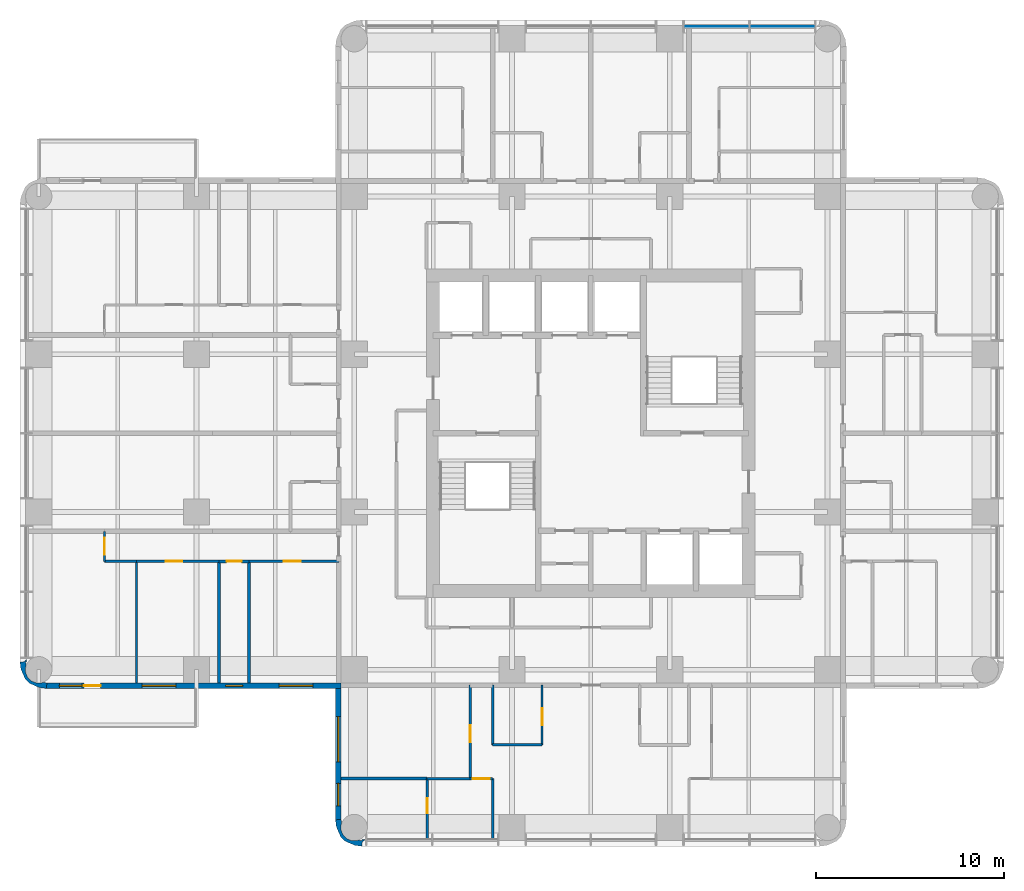
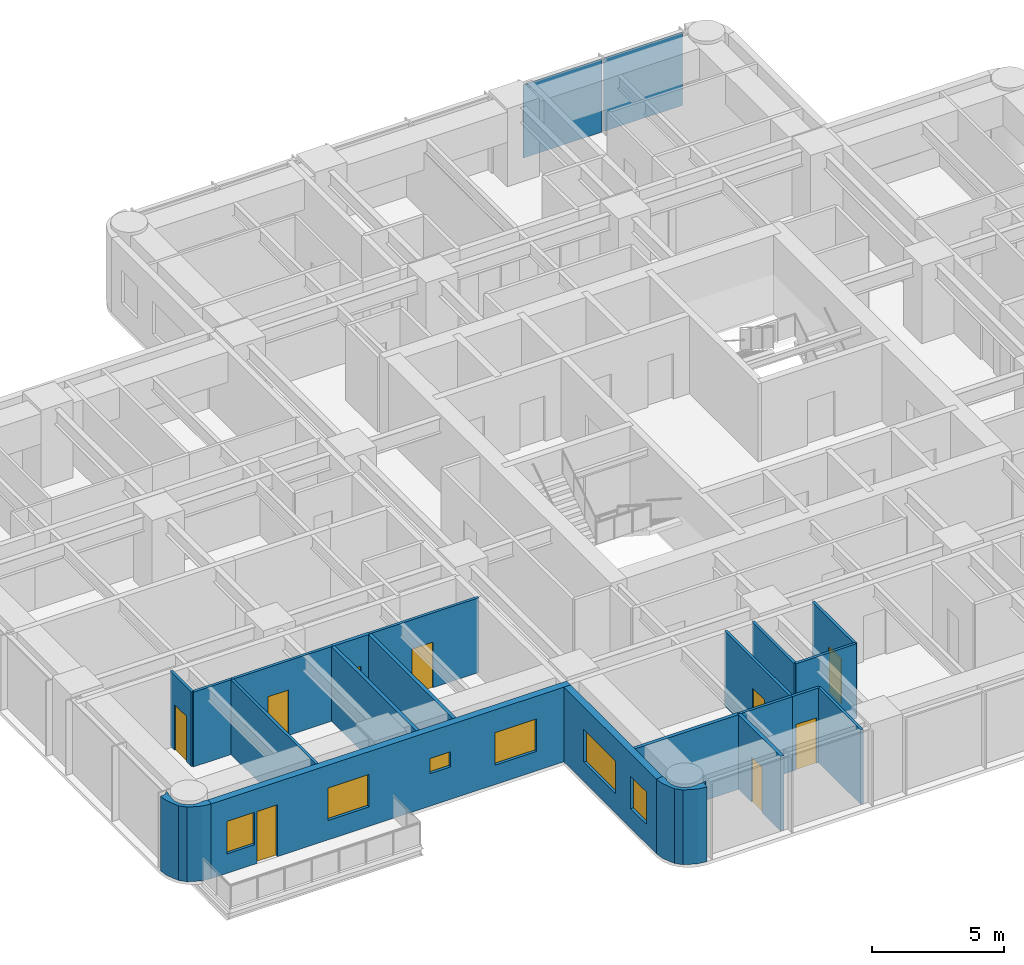
# One storey, part 4 of 11: 21 walls, 9 doors, 6 windows, 2 plates, 15 openings, 1 element without a shape of its own.
"""IFC4 building model written with IfcOpenShell, lengths in metres."""

import ifcopenshell
import ifcopenshell.guid

model = None  # the IFC model being written
_history = None  # IfcOwnerHistory: only IFC2X3 demands one
_inside = {}  # id of a spatial element -> (the spatial element, [elements in it])
_under = {}  # id of a project, library or spatial element -> (it, [spatial elements below it])
_declared = {}  # id of a project -> (the project, [libraries it declares])
_typed = {}  # id of a type object -> (the type object, [elements of that type])
_made_of = {}  # id of a material, layer set ... -> (it, [elements and type objects made of it])


def new_model(schema):
    """Start an empty IFC model of exactly this schema.

    Asked for "IFC4X3", IfcOpenShell would pick the latest addendum, in which some entities
    have other attributes; the version numbers below select the first issue.
    IFC2X3 requires an IfcOwnerHistory on every rooted entity: one is made here for all.
    """
    global model, _history
    if schema == "IFC4X3":
        model = ifcopenshell.file(schema_version=(4, 3, 0, 0))
    else:
        model = ifcopenshell.file(schema=schema)
    _inside.clear()
    _under.clear()
    _declared.clear()
    _typed.clear()
    _made_of.clear()
    _history = None
    if model.schema == "IFC2X3":
        org = make("IfcOrganization", Name="unknown")
        user = make(
            "IfcPersonAndOrganization",
            ThePerson=make("IfcPerson", FamilyName="unknown"),
            TheOrganization=org,
        )
        app = make(
            "IfcApplication",
            ApplicationDeveloper=org,
            Version="unknown",
            ApplicationFullName="unknown",
            ApplicationIdentifier="unknown",
        )
        _history = make(
            "IfcOwnerHistory",
            OwningUser=user,
            OwningApplication=app,
            ChangeAction="ADDED",
            CreationDate=0,
        )
    return model


def make(cls, **values):
    """One entity of the class cls with the attributes given. An attribute that is None is left unset."""
    return model.create_entity(
        cls, **{name: value for name, value in values.items() if value is not None}
    )


def rooted(cls, **values):
    """An entity with a GlobalId (a new one), such as an element, a storey or a relation."""
    return make(cls, GlobalId=ifcopenshell.guid.new(), OwnerHistory=_history, **values)


def si_unit(unit_type, name, prefix=None):
    """IfcSIUnit, for example si_unit("LENGTHUNIT", "METRE", prefix="MILLI")."""
    return make("IfcSIUnit", UnitType=unit_type, Prefix=prefix, Name=name)


def assignment(units):
    """IfcUnitAssignment: the units of a project."""
    return None if units is None else make("IfcUnitAssignment", Units=units)


def point(xyz):
    """IfcCartesianPoint."""
    return None if xyz is None else make("IfcCartesianPoint", Coordinates=xyz)


def direction(xyz):
    """IfcDirection."""
    return None if xyz is None else make("IfcDirection", DirectionRatios=xyz)


def frame(location, z_axis=None, x_axis=None):
    """IfcAxis2Placement3D, a coordinate frame: its origin and axes. An axis left out is left unset."""
    return make(
        "IfcAxis2Placement3D",
        Location=point(location),
        Axis=direction(z_axis),
        RefDirection=direction(x_axis),
    )


def frame_2d(location, x_axis=None):
    """IfcAxis2Placement2D, a coordinate frame in the plane: its origin and x axis."""
    return make(
        "IfcAxis2Placement2D", Location=point(location), RefDirection=direction(x_axis)
    )


def origin():
    """The frame at (0, 0, 0) with its axes left unset."""
    return frame((0.0, 0.0, 0.0))


def origin_2d():
    """The frame at (0, 0) in the plane with its x axis left unset."""
    return frame_2d((0.0, 0.0))


def place(relative_to, where):
    """IfcLocalPlacement: puts the frame where relative to a parent placement (None: the world)."""
    return make(
        "IfcLocalPlacement", PlacementRelTo=relative_to, RelativePlacement=where
    )


def context(
    kind, dimensions, precision=None, world=None, true_north=None, identifier=None
):
    """IfcGeometricRepresentationContext, for example the 3D "Model" context."""
    return make(
        "IfcGeometricRepresentationContext",
        ContextIdentifier=identifier,
        ContextType=kind,
        CoordinateSpaceDimension=dimensions,
        Precision=precision,
        WorldCoordinateSystem=world,
        TrueNorth=true_north,
    )


def subcontext(parent, identifier, kind, view, scale=None):
    """IfcGeometricRepresentationSubContext, for example "Body" below "Model"."""
    return make(
        "IfcGeometricRepresentationSubContext",
        ContextIdentifier=identifier,
        ContextType=kind,
        ParentContext=parent,
        TargetScale=scale,
        TargetView=view,
    )


def project(units=None, contexts=None):
    """IfcProject with its units and contexts."""
    return rooted(
        "IfcProject",
        Name="project",
        RepresentationContexts=contexts,
        UnitsInContext=assignment(units),
    )


def spatial(cls, under=None, at=None, **own):
    """A site, building, storey or space (cls), placed at a placement, below another one or the project."""
    s = rooted(cls, ObjectPlacement=at, **own)
    if under is not None:
        _under.setdefault(under.id(), (under, []))[1].append(s)
    return s


def polyline(points):
    """IfcPolyline through the points."""
    return make("IfcPolyline", Points=[point(p) for p in points])


def profile(cls, at=None, kind="AREA", **sizes):
    """A parametric profile (cls). Its sizes go by their IFC names, for example OverallWidth=200.0."""
    return make(cls, ProfileType=kind, Position=at, **sizes)


def rectangle(**sizes):
    """IfcRectangleProfileDef."""
    return profile("IfcRectangleProfileDef", **sizes)


def outline(outer, holes=None, kind="AREA"):
    """IfcArbitraryClosedProfileDef: a profile drawn as a closed curve; with holes, ...WithVoids."""
    if holes is None:
        return make("IfcArbitraryClosedProfileDef", ProfileType=kind, OuterCurve=outer)
    return make(
        "IfcArbitraryProfileDefWithVoids",
        ProfileType=kind,
        OuterCurve=outer,
        InnerCurves=holes,
    )


def extrude(swept, where, along, depth):
    """IfcExtrudedAreaSolid: the profile swept, set in the frame where, extruded along a direction by depth."""
    return make(
        "IfcExtrudedAreaSolid",
        SweptArea=swept,
        Position=where,
        ExtrudedDirection=direction(along),
        Depth=depth,
    )


def shape(context_of_items, identifier, shape_type, items):
    """IfcShapeRepresentation: the items that make up one representation, for example the "Body"."""
    return make(
        "IfcShapeRepresentation",
        ContextOfItems=context_of_items,
        RepresentationIdentifier=identifier,
        RepresentationType=shape_type,
        Items=items,
    )


def material(Name=None, Category=None):
    """IfcMaterial."""
    return make("IfcMaterial", Name=Name, Category=Category)


def layer(
    of_material, thickness, ventilated=None, Name=None, Category=None, Priority=None
):
    """IfcMaterialLayer: one layer of a wall or slab, of a material (None: an air gap)."""
    return make(
        "IfcMaterialLayer",
        Material=of_material,
        LayerThickness=thickness,
        IsVentilated=ventilated,
        Name=Name,
        Category=Category,
        Priority=Priority,
    )


def layer_set(layers, Name=None):
    """IfcMaterialLayerSet."""
    return make("IfcMaterialLayerSet", MaterialLayers=layers, LayerSetName=Name)


def made_of(thing, what):
    """Note that an element or type object is made of a material, layer set ...; save() writes the relation."""
    if what is not None:
        _made_of.setdefault(what.id(), (what, []))[1].append(thing)
    return thing


def type_object(cls, material=None, **own):
    """A type object (cls), such as IfcWallType, which elements share."""
    return made_of(rooted(cls, **own), material)


def element(
    cls,
    number,
    at=None,
    inside=None,
    cuts=None,
    type_object=None,
    material=None,
    context=None,
    identifier="Body",
    shape_type=None,
    held_by="IfcProductDefinitionShape",
    body=None,
    shapes=None,
    **own,
):
    """One element of the class cls, such as IfcWall. Its Tag is "e" and its number.

    at: its placement. inside: the storey or other place that contains it. cuts: it is an
    opening in that element (IfcRelVoidsElement). A single representation is given by context,
    identifier, shape_type and body (its items); several are given by shapes. held_by: the class
    of the entity that holds the representations. save() writes the other relations.
    """
    e = rooted(cls, Tag="e%d" % number, ObjectPlacement=at, **own)
    if body is not None:
        shapes = [shape(context, identifier, shape_type, body)]
    if shapes is not None:
        e.Representation = make(held_by, Representations=shapes)
    if inside is not None:
        _inside.setdefault(inside.id(), (inside, []))[1].append(e)
    if cuts is not None:
        rooted(
            "IfcRelVoidsElement", RelatingBuildingElement=cuts, RelatedOpeningElement=e
        )
    if type_object is not None:
        _typed.setdefault(type_object.id(), (type_object, []))[1].append(e)
    return made_of(e, material)


def fill(opening, filler):
    """IfcRelFillsElement: the door or window that sits in an opening."""
    return rooted(
        "IfcRelFillsElement",
        RelatingOpeningElement=opening,
        RelatedBuildingElement=filler,
    )


def aggregate(whole, parts):
    """IfcRelAggregates: a whole, such as a stair, and the parts it consists of."""
    return rooted("IfcRelAggregates", RelatingObject=whole, RelatedObjects=parts)


def save(model, path):
    """Write the relations noted so far, then the file.

    IfcRelAggregates (storeys below a building ...), IfcRelContainedInSpatialStructure (elements
    in a storey), IfcRelDefinesByType, IfcRelAssociatesMaterial and IfcRelDeclares: one each for
    every whole, place, type object, material and project.
    """
    for whole, parts in _under.values():
        aggregate(whole, parts)
    for where, things in _inside.values():
        rooted(
            "IfcRelContainedInSpatialStructure",
            RelatedElements=things,
            RelatingStructure=where,
        )
    for kind, things in _typed.values():
        rooted("IfcRelDefinesByType", RelatedObjects=things, RelatingType=kind)
    for what, things in _made_of.values():
        rooted("IfcRelAssociatesMaterial", RelatedObjects=things, RelatingMaterial=what)
    for by, libraries in _declared.values():
        rooted("IfcRelDeclares", RelatingContext=by, RelatedDefinitions=libraries)
    model.write(path)


model = new_model("IFC4")

# Units and contexts
model_context = context("Model", 3, precision=1e-05, world=origin(), true_north=direction((0.0, 1.0)))
body_context = subcontext(model_context, "Body", "Model", "MODEL_VIEW")
ifc_project = project(units=[si_unit("LENGTHUNIT", "METRE"), si_unit("AREAUNIT", "SQUARE_METRE"), si_unit("VOLUMEUNIT", "CUBIC_METRE"), si_unit("PLANEANGLEUNIT", "RADIAN"), si_unit("MASSUNIT", "GRAM", prefix="KILO")], contexts=[model_context])

# Site, building, storey
site_placement = place(None, origin())
site = spatial("IfcSite", under=ifc_project, at=site_placement, CompositionType="ELEMENT")
building_placement = place(site_placement, origin())
building = spatial("IfcBuilding", under=site, at=building_placement, Name="Torre Alcanfor", CompositionType="ELEMENT")
storey_placement = place(building_placement, frame((0.0, 0.0, 222.89990234375)))
storey = spatial("IfcBuildingStorey", under=building, at=storey_placement, Name="L58", CompositionType="ELEMENT", Elevation=222.89990234375)

# Curtain wall, plates
ifc_material_1 = material(Name="Aluminium and glass", Category="aluminium")
curtain_wall_type = type_object("IfcCurtainWallType", Name="CW-A unitised apartment glazing with vertical FIN", PredefinedType="NOTDEFINED", material=ifc_material_1)
curtain_wall_placement = place(storey_placement, origin())
curtain_wall = element("IfcCurtainWall", 1, at=curtain_wall_placement, inside=storey, type_object=curtain_wall_type, Name="Curtain wall CW-A L58 11", PredefinedType="NOTDEFINED")
ifc_material_2 = material(Name="Glass", Category="glass")
ifc_layer_1 = layer(ifc_material_2, 0.028076171875)
ifc_layer_set_1 = layer_set([ifc_layer_1], Name="CW-A clear double glazed unit")
plate_type = type_object("IfcPlateType", Name="CW-A clear double glazed unit", PredefinedType="CURTAIN_PANEL", material=ifc_layer_set_1)
plate_1_placement = place(storey_placement, frame((39.60107421875, 51.050048828125, 0.0), z_axis=(0.0, 0.0, 1.0), x_axis=(-1.0, 0.0, 0.0)))
plate_1 = element("IfcPlate", 2, at=plate_1_placement, type_object=plate_type, Name="CW-A panel 1.1.1", PredefinedType="CURTAIN_PANEL", context=body_context, shape_type="SweptSolid", body=[
    extrude(rectangle(XDim=3.444091796875, YDim=0.028076171875, at=origin_2d()), origin(), (0.0, 0.0, 1.0), 3.385009765625),
])
plate_2_placement = place(storey_placement, frame((36.092041015625, 51.050048828125, 0.0), z_axis=(0.0, 0.0, 1.0), x_axis=(-1.0, 0.0, 0.0)))
plate_2 = element("IfcPlate", 3, at=plate_2_placement, type_object=plate_type, Name="CW-A panel 1.2.1", PredefinedType="CURTAIN_PANEL", context=body_context, shape_type="SweptSolid", body=[
    extrude(rectangle(XDim=3.444091796875, YDim=0.028076171875, at=origin_2d()), origin(), (0.0, 0.0, 1.0), 3.385009765625),
])
aggregate(curtain_wall, [plate_1, plate_2])

# Wall, opening, door
ifc_material_3 = material(Name="Gypsum board on steel studs", Category="steel")
ifc_layer_2 = layer(ifc_material_3, 0.1201171875)
ifc_layer_set_2 = layer_set([ifc_layer_2], Name="Apartment partition 120")
wall_type_1 = type_object("IfcWallType", Name="Apartment partition 120", PredefinedType="PARTITIONING", material=ifc_layer_set_2)
wall_1_placement = place(storey_placement, frame((26.800048828125, 15.97509765625, 0.0), z_axis=(0.0, 0.0, 1.0), x_axis=(0.0, -1.0, 0.0)))
wall_1 = element("IfcWall", 4, at=wall_1_placement, inside=storey, type_object=wall_type_1, Name="Partition L58-SX-ZAG / L58-SX-KITCHEN", PredefinedType="PARTITIONING", context=body_context, shape_type="SweptSolid", body=[
    extrude(rectangle(XDim=3.175048828125, YDim=0.1201171875, at=frame_2d((1.58740234375, 0.0))), origin(), (0.0, 0.0, 1.0), 3.4501953125),
])
opening_1_placement = place(wall_1_placement, frame((1.22509765625, 0.0, 0.0)))
opening_1 = element("IfcOpeningElement", 5, at=opening_1_placement, cuts=wall_1, Name="Opening D-R1", PredefinedType="OPENING", context=body_context, shape_type="SweptSolid", body=[
    extrude(rectangle(XDim=0.89990234375, YDim=2.10009765625, at=frame_2d((0.449951171875, 1.050048828125))), frame((0.0, 0.070068359375, 0.0), z_axis=(0.0, -1.0, 0.0), x_axis=(1.0, 0.0, 0.0)), (0.0, 0.0, 1.0), 0.14013671875),
])
ifc_material_4 = material(Name="Timber", Category="wood")
door_type_1 = type_object("IfcDoorType", Name="Internal door 900x2100", OperationType="SINGLE_SWING_LEFT", PredefinedType="DOOR", material=ifc_material_4)
door_1_placement = place(opening_1_placement, frame((0.89990234375, 0.0, 0.0), z_axis=(0.0, 0.0, 1.0), x_axis=(-1.0, 0.0, 0.0)))
door_1 = element("IfcDoor", 6, at=door_1_placement, inside=storey, type_object=door_type_1, Name="Door L58-SX kitchen", OperationType="SINGLE_SWING_LEFT", OverallHeight=2.10009765625, OverallWidth=0.89990234375, PredefinedType="DOOR", context=body_context, shape_type="SweptSolid", body=[
    extrude(rectangle(XDim=0.89990234375, YDim=2.10009765625, at=frame_2d((0.449951171875, 1.050048828125))), frame((0.0, 0.025146484375, 0.0), z_axis=(0.0, -1.0, 0.0), x_axis=(1.0, 0.0, 0.0)), (0.0, 0.0, 1.0), 0.050048828125),
])
fill(opening_1, door_1)

# Walls
wall_2_placement = place(storey_placement, frame((24.1708984375, 15.97509765625, 0.0), z_axis=(0.0, 0.0, 1.0), x_axis=(0.0, -1.0, 0.0)))
element("IfcWall", 7, at=wall_2_placement, inside=storey, type_object=wall_type_1, Name="Partition L58-SX-KITCHEN / L58-SX-LIVING", PredefinedType="PARTITIONING", context=body_context, shape_type="SweptSolid", body=[
    extrude(rectangle(XDim=3.175048828125, YDim=0.1201171875, at=frame_2d((1.58740234375, 0.0))), origin(), (0.0, 0.0, 1.0), 3.4501953125),
])
wall_3_placement = place(storey_placement, frame((24.1708984375, 12.800048828125, 0.0), z_axis=(0.0, 0.0, 1.0), x_axis=(1.0, 0.0, 0.0)))
element("IfcWall", 8, at=wall_3_placement, inside=storey, type_object=wall_type_1, Name="Partition L58-SX-KITCHEN / L58-SX-LIVING", PredefinedType="PARTITIONING", context=body_context, shape_type="SweptSolid", body=[
    extrude(rectangle(XDim=2.629150390625, YDim=0.1201171875, at=frame_2d((1.314453125, 0.0))), origin(), (0.0, 0.0, 1.0), 3.4501953125),
])

# Wall, opening, door
wall_4_placement = place(storey_placement, frame((22.970947265625, 11.0, 0.0), z_axis=(0.0, 0.0, 1.0), x_axis=(0.0, 1.0, 0.0)))
wall_4 = element("IfcWall", 9, at=wall_4_placement, inside=storey, type_object=wall_type_1, Name="Partition L58-SX-LIVING / L58-SX-BED3", PredefinedType="PARTITIONING", context=body_context, shape_type="SweptSolid", body=[
    extrude(rectangle(XDim=4.97509765625, YDim=0.1201171875, at=frame_2d((2.487548828125, 0.0))), origin(), (0.0, 0.0, 1.0), 3.4501953125),
])
opening_2_placement = place(wall_4_placement, frame((1.949951171875, 0.0, 0.0)))
opening_2 = element("IfcOpeningElement", 10, at=opening_2_placement, cuts=wall_4, Name="Opening D-R1", PredefinedType="OPENING", context=body_context, shape_type="SweptSolid", body=[
    extrude(rectangle(XDim=0.89990234375, YDim=2.10009765625, at=frame_2d((0.449951171875, 1.050048828125))), frame((0.0, 0.070068359375, 0.0), z_axis=(0.0, -1.0, 0.0), x_axis=(1.0, 0.0, 0.0)), (0.0, 0.0, 1.0), 0.14013671875),
])
door_2_placement = place(opening_2_placement, origin())
door_2 = element("IfcDoor", 11, at=door_2_placement, inside=storey, type_object=door_type_1, Name="Door L58-SX bed3", OperationType="SINGLE_SWING_LEFT", OverallHeight=2.10009765625, OverallWidth=0.89990234375, PredefinedType="DOOR", context=body_context, shape_type="SweptSolid", body=[
    extrude(rectangle(XDim=0.89990234375, YDim=2.10009765625, at=frame_2d((0.449951171875, 1.050048828125))), frame((0.0, 0.02490234375, 0.0), z_axis=(0.0, -1.0, 0.0), x_axis=(1.0, 0.0, 0.0)), (0.0, 0.0, 1.0), 0.050048828125),
])
fill(opening_2, door_2)

# Wall
wall_5_placement = place(storey_placement, frame((24.1708984375, 7.75, 0.0), z_axis=(0.0, 0.0, 1.0), x_axis=(0.0, 1.0, 0.0)))
element("IfcWall", 12, at=wall_5_placement, inside=storey, type_object=wall_type_1, Name="Partition L58-SX-LIVING / L58-SX-BED1", PredefinedType="PARTITIONING", context=body_context, shape_type="SweptSolid", body=[
    extrude(rectangle(XDim=3.25, YDim=0.1201171875, at=frame_2d((1.625, 0.0))), origin(), (0.0, 0.0, 1.0), 3.4501953125),
])

# Wall, opening, door
wall_6_placement = place(storey_placement, frame((24.1708984375, 11.0, 0.0), z_axis=(0.0, 0.0, 1.0), x_axis=(-1.0, 0.0, 0.0)))
wall_6 = element("IfcWall", 13, at=wall_6_placement, inside=storey, type_object=wall_type_1, Name="Partition L58-SX-LIVING / L58-SX-BED1", PredefinedType="PARTITIONING", context=body_context, shape_type="SweptSolid", body=[
    extrude(rectangle(XDim=1.199951171875, YDim=0.1201171875, at=frame_2d((0.60009765625, 0.0))), origin(), (0.0, 0.0, 1.0), 3.4501953125),
])
opening_3_placement = place(wall_6_placement, frame((0.15087890625, 0.0, 0.0)))
opening_3 = element("IfcOpeningElement", 14, at=opening_3_placement, cuts=wall_6, Name="Opening D-R1", PredefinedType="OPENING", context=body_context, shape_type="SweptSolid", body=[
    extrude(rectangle(XDim=0.89990234375, YDim=2.10009765625, at=frame_2d((0.449951171875, 1.050048828125))), frame((0.0, 0.070068359375, 0.0), z_axis=(0.0, -1.0, 0.0), x_axis=(1.0, 0.0, 0.0)), (0.0, 0.0, 1.0), 0.14013671875),
])
door_3_placement = place(opening_3_placement, origin())
door_3 = element("IfcDoor", 15, at=door_3_placement, inside=storey, type_object=door_type_1, Name="Door L58-SX bed1", OperationType="SINGLE_SWING_LEFT", OverallHeight=2.10009765625, OverallWidth=0.89990234375, PredefinedType="DOOR", context=body_context, shape_type="SweptSolid", body=[
    extrude(rectangle(XDim=0.89990234375, YDim=2.10009765625, at=frame_2d((0.449951171875, 1.050048828125))), frame((0.0, 0.02490234375, 0.0), z_axis=(0.0, -1.0, 0.0), x_axis=(1.0, 0.0, 0.0)), (0.0, 0.0, 1.0), 0.050048828125),
])
fill(opening_3, door_3)

# Wall
wall_7_placement = place(storey_placement, frame((20.68603515625, 11.0, 0.0), z_axis=(0.0, 0.0, 1.0), x_axis=(1.0, 0.0, 0.0)))
element("IfcWall", 16, at=wall_7_placement, inside=storey, type_object=wall_type_1, Name="Partition L58-SX-BED3 / L58-SX-BED1", PredefinedType="PARTITIONING", context=body_context, shape_type="SweptSolid", body=[
    extrude(rectangle(XDim=2.284912109375, YDim=0.1201171875, at=frame_2d((1.142578125, 0.0))), origin(), (0.0, 0.0, 1.0), 3.4501953125),
])

# Wall, opening, door
wall_8_placement = place(storey_placement, frame((11.199951171875, 22.571044921875, 0.0), z_axis=(0.0, 0.0, 1.0), x_axis=(1.0, 0.0, 0.0)))
wall_8 = element("IfcWall", 17, at=wall_8_placement, inside=storey, type_object=wall_type_1, Name="Partition L58-W1B-HALL / L58-W1B-MASTER", PredefinedType="PARTITIONING", context=body_context, shape_type="SweptSolid", body=[
    extrude(rectangle(XDim=4.775146484375, YDim=0.1201171875, at=frame_2d((2.3876953125, 0.0))), origin(), (0.0, 0.0, 1.0), 3.4501953125),
])
opening_4_placement = place(wall_8_placement, frame((1.85009765625, 0.0, 0.0)))
opening_4 = element("IfcOpeningElement", 18, at=opening_4_placement, cuts=wall_8, Name="Opening D-R1", PredefinedType="OPENING", context=body_context, shape_type="SweptSolid", body=[
    extrude(rectangle(XDim=0.89990234375, YDim=2.10009765625, at=frame_2d((0.449951171875, 1.050048828125))), frame((0.0, 0.070068359375, 0.0), z_axis=(0.0, -1.0, 0.0), x_axis=(1.0, 0.0, 0.0)), (0.0, 0.0, 1.0), 0.14013671875),
])
door_4_placement = place(opening_4_placement, frame((0.89990234375, 0.0, 0.0), z_axis=(0.0, 0.0, 1.0), x_axis=(-1.0, 0.0, 0.0)))
door_4 = element("IfcDoor", 19, at=door_4_placement, inside=storey, type_object=door_type_1, Name="Door L58-W1B master", OperationType="SINGLE_SWING_RIGHT", OverallHeight=2.10009765625, OverallWidth=0.89990234375, PredefinedType="DOOR", context=body_context, shape_type="SweptSolid", body=[
    extrude(rectangle(XDim=0.89990234375, YDim=2.10009765625, at=frame_2d((0.449951171875, 1.050048828125))), frame((0.0, 0.025146484375, 0.0), z_axis=(0.0, -1.0, 0.0), x_axis=(1.0, 0.0, 0.0)), (0.0, 0.0, 1.0), 0.050048828125),
])
fill(opening_4, door_4)

wall_9_placement = place(storey_placement, frame((5.199951171875, 22.571044921875, 0.0), z_axis=(0.0, 0.0, 1.0), x_axis=(1.0, 0.0, 0.0)))
wall_9 = element("IfcWall", 20, at=wall_9_placement, inside=storey, type_object=wall_type_1, Name="Partition L58-W1B-HALL / L58-W1B-STUDY", PredefinedType="PARTITIONING", context=body_context, shape_type="SweptSolid", body=[
    extrude(rectangle(XDim=4.400146484375, YDim=0.1201171875, at=frame_2d((2.2001953125, 0.0))), origin(), (0.0, 0.0, 1.0), 3.4501953125),
])
opening_5_placement = place(wall_9_placement, frame((1.550048828125, 0.0, 0.0)))
opening_5 = element("IfcOpeningElement", 21, at=opening_5_placement, cuts=wall_9, Name="Opening D-R1", PredefinedType="OPENING", context=body_context, shape_type="SweptSolid", body=[
    extrude(rectangle(XDim=0.89990234375, YDim=2.10009765625, at=frame_2d((0.449951171875, 1.050048828125))), frame((0.0, 0.070068359375, 0.0), z_axis=(0.0, -1.0, 0.0), x_axis=(1.0, 0.0, 0.0)), (0.0, 0.0, 1.0), 0.14013671875),
])
door_5_placement = place(opening_5_placement, frame((0.89990234375, 0.0, 0.0), z_axis=(0.0, 0.0, 1.0), x_axis=(-1.0, 0.0, 0.0)))
door_5 = element("IfcDoor", 22, at=door_5_placement, inside=storey, type_object=door_type_1, Name="Door L58-W1B study", OperationType="SINGLE_SWING_RIGHT", OverallHeight=2.10009765625, OverallWidth=0.89990234375, PredefinedType="DOOR", context=body_context, shape_type="SweptSolid", body=[
    extrude(rectangle(XDim=0.89990234375, YDim=2.10009765625, at=frame_2d((0.449951171875, 1.050048828125))), frame((0.0, 0.025146484375, 0.0), z_axis=(0.0, -1.0, 0.0), x_axis=(1.0, 0.0, 0.0)), (0.0, 0.0, 1.0), 0.050048828125),
])
fill(opening_5, door_5)

# Wall
wall_10_placement = place(storey_placement, frame((3.5, 22.571044921875, 0.0), z_axis=(0.0, 0.0, 1.0), x_axis=(1.0, 0.0, 0.0)))
element("IfcWall", 23, at=wall_10_placement, inside=storey, type_object=wall_type_1, Name="Partition L58-W1B-HALL / L58-W1B-KITCHEN", PredefinedType="PARTITIONING", context=body_context, shape_type="SweptSolid", body=[
    extrude(rectangle(XDim=1.699951171875, YDim=0.1201171875, at=frame_2d((0.85009765625, 0.0))), origin(), (0.0, 0.0, 1.0), 3.4501953125),
])

# Wall, opening, door
wall_11_placement = place(storey_placement, frame((3.5, 24.1708984375, 0.0), z_axis=(0.0, 0.0, 1.0), x_axis=(0.0, -1.0, 0.0)))
wall_11 = element("IfcWall", 24, at=wall_11_placement, inside=storey, type_object=wall_type_1, Name="Partition L58-W1B-HALL / L58-W1B-LIVING", PredefinedType="PARTITIONING", context=body_context, shape_type="SweptSolid", body=[
    extrude(rectangle(XDim=1.599853515625, YDim=0.1201171875, at=frame_2d((0.7998046875, 0.0))), origin(), (0.0, 0.0, 1.0), 3.4501953125),
])
opening_6_placement = place(wall_11_placement, frame((0.35009765625, 0.0, 0.0)))
opening_6 = element("IfcOpeningElement", 25, at=opening_6_placement, cuts=wall_11, Name="Opening D-R1", PredefinedType="OPENING", context=body_context, shape_type="SweptSolid", body=[
    extrude(rectangle(XDim=0.89990234375, YDim=2.10009765625, at=frame_2d((0.449951171875, 1.050048828125))), frame((0.0, 0.070068359375, 0.0), z_axis=(0.0, -1.0, 0.0), x_axis=(1.0, 0.0, 0.0)), (0.0, 0.0, 1.0), 0.14013671875),
])
door_6_placement = place(opening_6_placement, frame((0.89990234375, 0.0, 0.0), z_axis=(0.0, 0.0, 1.0), x_axis=(-1.0, 0.0, 0.0)))
door_6 = element("IfcDoor", 26, at=door_6_placement, inside=storey, type_object=door_type_1, Name="Door L58-W1B living", OperationType="SINGLE_SWING_RIGHT", OverallHeight=2.10009765625, OverallWidth=0.89990234375, PredefinedType="DOOR", context=body_context, shape_type="SweptSolid", body=[
    extrude(rectangle(XDim=0.89990234375, YDim=2.10009765625, at=frame_2d((0.449951171875, 1.050048828125))), frame((0.0, 0.025146484375, 0.0), z_axis=(0.0, -1.0, 0.0), x_axis=(1.0, 0.0, 0.0)), (0.0, 0.0, 1.0), 0.050048828125),
])
fill(opening_6, door_6)

# Wall
wall_12_placement = place(storey_placement, frame((5.199951171875, 22.571044921875, 0.0), z_axis=(0.0, 0.0, 1.0), x_axis=(0.0, -1.0, 0.0)))
element("IfcWall", 27, at=wall_12_placement, inside=storey, type_object=wall_type_1, Name="Partition L58-W1B-STUDY / L58-W1B-KITCHEN", PredefinedType="PARTITIONING", context=body_context, shape_type="SweptSolid", body=[
    extrude(rectangle(XDim=6.470947265625, YDim=0.1201171875, at=frame_2d((3.2353515625, 0.0))), origin(), (0.0, 0.0, 1.0), 3.4501953125),
])

# Wall, openings, door, windows
ifc_material_5 = material(Name="Limestone cladding", Category="masonry")
ifc_layer_3 = layer(ifc_material_5, 0.0400390625, Name="Facing")
ifc_material_6 = material(Name="Ventilated air cavity")
ifc_layer_4 = layer(ifc_material_6, 0.02001953125, ventilated=True, Name="Ventilated joint")
ifc_material_7 = material(Name="Mineral wool insulation", Category="insulation")
ifc_layer_5 = layer(ifc_material_7, 0.10009765625, Name="Insulation")
ifc_material_8 = material(Name="Concrete f'c 35 MPa", Category="concrete")
ifc_layer_6 = layer(ifc_material_8, 0.139892578125, Name="Backing")
ifc_layer_set_3 = layer_set([ifc_layer_3, ifc_layer_4, ifc_layer_5, ifc_layer_6], Name="External wall stone-clad 300")
wall_type_2 = type_object("IfcWallType", Name="External wall stone-clad 300", PredefinedType="SOLIDWALL", material=ifc_layer_set_3)
wall_13_placement = place(storey_placement, frame((0.39990234375, 15.949951171875, 0.0), z_axis=(0.0, 0.0, 1.0), x_axis=(1.0, 0.0, 0.0)))
wall_13 = element("IfcWall", 28, at=wall_13_placement, inside=storey, type_object=wall_type_2, Name="External wall L58 3", PredefinedType="SOLIDWALL", context=body_context, shape_type="SweptSolid", body=[
    extrude(rectangle(XDim=15.7001953125, YDim=0.300048828125, at=frame_2d((7.85009765625, 0.0))), origin(), (0.0, 0.0, 1.0), 3.4501953125),
])
opening_7_placement = place(wall_13_placement, frame((12.39990234375, 0.0, 0.89990234375)))
opening_7 = element("IfcOpeningElement", 29, at=opening_7_placement, cuts=wall_13, Name="Opening W2", PredefinedType="OPENING", context=body_context, shape_type="SweptSolid", body=[
    extrude(rectangle(XDim=1.800048828125, YDim=1.5, at=frame_2d((0.89990234375, 0.75))), frame((0.0, 0.159912109375, 0.0), z_axis=(0.0, -1.0, 0.0), x_axis=(1.0, 0.0, 0.0)), (0.0, 0.0, 1.0), 0.320068359375),
])
opening_8_placement = place(wall_13_placement, frame((9.550048828125, 0.0, 1.5)))
opening_8 = element("IfcOpeningElement", 30, at=opening_8_placement, cuts=wall_13, Name="Opening W3", PredefinedType="OPENING", context=body_context, shape_type="SweptSolid", body=[
    extrude(rectangle(XDim=0.89990234375, YDim=0.699951171875, at=frame_2d((0.449951171875, 0.35009765625))), frame((0.0, 0.159912109375, 0.0), z_axis=(0.0, -1.0, 0.0), x_axis=(1.0, 0.0, 0.0)), (0.0, 0.0, 1.0), 0.320068359375),
])
opening_9_placement = place(wall_13_placement, frame((5.10009765625, 0.0, 0.89990234375)))
opening_9 = element("IfcOpeningElement", 31, at=opening_9_placement, cuts=wall_13, Name="Opening W2", PredefinedType="OPENING", context=body_context, shape_type="SweptSolid", body=[
    extrude(rectangle(XDim=1.800048828125, YDim=1.5, at=frame_2d((0.89990234375, 0.75))), frame((0.0, 0.159912109375, 0.0), z_axis=(0.0, -1.0, 0.0), x_axis=(1.0, 0.0, 0.0)), (0.0, 0.0, 1.0), 0.320068359375),
])
opening_10_placement = place(wall_13_placement, frame((2.0, 0.0, 0.0)))
opening_10 = element("IfcOpeningElement", 32, at=opening_10_placement, cuts=wall_13, Name="Opening D-B1", PredefinedType="OPENING", context=body_context, shape_type="SweptSolid", body=[
    extrude(rectangle(XDim=0.89990234375, YDim=2.39990234375, at=frame_2d((0.449951171875, 1.199951171875))), frame((0.0, 0.159912109375, 0.0), z_axis=(0.0, -1.0, 0.0), x_axis=(1.0, 0.0, 0.0)), (0.0, 0.0, 1.0), 0.320068359375),
])
opening_11_placement = place(wall_13_placement, frame((0.699951171875, 0.0, 0.89990234375)))
opening_11 = element("IfcOpeningElement", 33, at=opening_11_placement, cuts=wall_13, Name="Opening W4", PredefinedType="OPENING", context=body_context, shape_type="SweptSolid", body=[
    extrude(rectangle(XDim=1.199951171875, YDim=1.5, at=frame_2d((0.60009765625, 0.75))), frame((0.0, 0.159912109375, 0.0), z_axis=(0.0, -1.0, 0.0), x_axis=(1.0, 0.0, 0.0)), (0.0, 0.0, 1.0), 0.320068359375),
])
ifc_material_9 = material(Name="Aluminium and glass", Category="aluminium")
door_type_2 = type_object("IfcDoorType", Name="Balcony door glazed 900x2400", OperationType="SINGLE_SWING_LEFT", PredefinedType="DOOR", material=ifc_material_9)
door_7_placement = place(opening_10_placement, origin())
door_7 = element("IfcDoor", 34, at=door_7_placement, inside=storey, type_object=door_type_2, Name="Balcony door L58-W1", OperationType="SINGLE_SWING_RIGHT", OverallHeight=2.39990234375, OverallWidth=0.89990234375, PredefinedType="DOOR", context=body_context, shape_type="SweptSolid", body=[
    extrude(rectangle(XDim=0.89990234375, YDim=2.39990234375, at=frame_2d((0.449951171875, 1.199951171875))), frame((0.0, 0.02490234375, 0.0), z_axis=(0.0, -1.0, 0.0), x_axis=(1.0, 0.0, 0.0)), (0.0, 0.0, 1.0), 0.050048828125),
])
fill(opening_10, door_7)
ifc_material_10 = material(Name="Aluminium frame with clear double glazing", Category="aluminium")
window_type_1 = type_object("IfcWindowType", Name="Window bathroom 900x700", PartitioningType="SINGLE_PANEL", PredefinedType="WINDOW", material=ifc_material_10)
window_1_placement = place(opening_8_placement, origin())
window_1 = element("IfcWindow", 35, at=window_1_placement, inside=storey, type_object=window_type_1, Name="Window W3 L58-W1", OverallHeight=0.699951171875, OverallWidth=0.89990234375, PartitioningType="SINGLE_PANEL", PredefinedType="WINDOW", context=body_context, shape_type="SweptSolid", body=[
    extrude(rectangle(XDim=0.89990234375, YDim=0.699951171875, at=frame_2d((0.449951171875, 0.35009765625))), frame((0.0, 0.030029296875, 0.0), z_axis=(0.0, -1.0, 0.0), x_axis=(1.0, 0.0, 0.0)), (0.0, 0.0, 1.0), 0.06005859375),
])
fill(opening_8, window_1)
ifc_material_11 = material(Name="Aluminium frame with clear double glazing", Category="aluminium")
window_type_2 = type_object("IfcWindowType", Name="Window bedroom 1200x1500", PartitioningType="SINGLE_PANEL", PredefinedType="WINDOW", material=ifc_material_11)
window_2_placement = place(opening_11_placement, origin())
window_2 = element("IfcWindow", 36, at=window_2_placement, inside=storey, type_object=window_type_2, Name="Window W4 L58-W1", OverallHeight=1.5, OverallWidth=1.199951171875, PartitioningType="SINGLE_PANEL", PredefinedType="WINDOW", context=body_context, shape_type="SweptSolid", body=[
    extrude(rectangle(XDim=1.199951171875, YDim=1.5, at=frame_2d((0.60009765625, 0.75))), frame((0.0, 0.030029296875, 0.0), z_axis=(0.0, -1.0, 0.0), x_axis=(1.0, 0.0, 0.0)), (0.0, 0.0, 1.0), 0.06005859375),
])
fill(opening_11, window_2)
ifc_material_12 = material(Name="Aluminium frame with clear double glazing", Category="aluminium")
window_type_3 = type_object("IfcWindowType", Name="Window bedroom 1800x1500", PartitioningType="SINGLE_PANEL", PredefinedType="WINDOW", material=ifc_material_12)
window_3_placement = place(opening_7_placement, origin())
window_3 = element("IfcWindow", 37, at=window_3_placement, inside=storey, type_object=window_type_3, Name="Window W2 L58-W1", OverallHeight=1.5, OverallWidth=1.800048828125, PartitioningType="SINGLE_PANEL", PredefinedType="WINDOW", context=body_context, shape_type="SweptSolid", body=[
    extrude(rectangle(XDim=1.800048828125, YDim=1.5, at=frame_2d((0.89990234375, 0.75))), frame((0.0, 0.030029296875, 0.0), z_axis=(0.0, -1.0, 0.0), x_axis=(1.0, 0.0, 0.0)), (0.0, 0.0, 1.0), 0.06005859375),
])
fill(opening_7, window_3)
window_4_placement = place(opening_9_placement, origin())
window_4 = element("IfcWindow", 38, at=window_4_placement, inside=storey, type_object=window_type_3, Name="Window W2 L58-W1", OverallHeight=1.5, OverallWidth=1.800048828125, PartitioningType="SINGLE_PANEL", PredefinedType="WINDOW", context=body_context, shape_type="SweptSolid", body=[
    extrude(rectangle(XDim=1.800048828125, YDim=1.5, at=frame_2d((0.89990234375, 0.75))), frame((0.0, 0.030029296875, 0.0), z_axis=(0.0, -1.0, 0.0), x_axis=(1.0, 0.0, 0.0)), (0.0, 0.0, 1.0), 0.06005859375),
])
fill(opening_9, window_4)

# Wall, openings, windows
wall_14_placement = place(storey_placement, frame((15.949951171875, 15.800048828125, 0.0), z_axis=(0.0, 0.0, 1.0), x_axis=(0.0, -1.0, 0.0)))
wall_14 = element("IfcWall", 39, at=wall_14_placement, inside=storey, type_object=wall_type_2, Name="External wall L58 4", PredefinedType="SOLIDWALL", context=body_context, shape_type="SweptSolid", body=[
    extrude(rectangle(XDim=7.0, YDim=0.300048828125, at=frame_2d((3.5, 0.0))), origin(), (0.0, 0.0, 1.0), 3.4501953125),
])
opening_12_placement = place(wall_14_placement, frame((1.5, 0.0, 0.89990234375)))
opening_12 = element("IfcOpeningElement", 40, at=opening_12_placement, cuts=wall_14, Name="Opening W1", PredefinedType="OPENING", context=body_context, shape_type="SweptSolid", body=[
    extrude(rectangle(XDim=2.39990234375, YDim=1.5, at=frame_2d((1.199951171875, 0.75))), frame((0.0, 0.159912109375, 0.0), z_axis=(0.0, -1.0, 0.0), x_axis=(1.0, 0.0, 0.0)), (0.0, 0.0, 1.0), 0.320068359375),
])
opening_13_placement = place(wall_14_placement, frame((5.050048828125, 0.0, 0.89990234375)))
opening_13 = element("IfcOpeningElement", 41, at=opening_13_placement, cuts=wall_14, Name="Opening W4", PredefinedType="OPENING", context=body_context, shape_type="SweptSolid", body=[
    extrude(rectangle(XDim=1.199951171875, YDim=1.5, at=frame_2d((0.60009765625, 0.75))), frame((0.0, 0.159912109375, 0.0), z_axis=(0.0, -1.0, 0.0), x_axis=(1.0, 0.0, 0.0)), (0.0, 0.0, 1.0), 0.320068359375),
])
window_5_placement = place(opening_13_placement, origin())
window_5 = element("IfcWindow", 42, at=window_5_placement, inside=storey, type_object=window_type_2, Name="Window W4 L58-S2", OverallHeight=1.5, OverallWidth=1.199951171875, PartitioningType="SINGLE_PANEL", PredefinedType="WINDOW", context=body_context, shape_type="SweptSolid", body=[
    extrude(rectangle(XDim=1.199951171875, YDim=1.5, at=frame_2d((0.60009765625, 0.75))), frame((0.0, 0.030029296875, 0.0), z_axis=(0.0, -1.0, 0.0), x_axis=(1.0, 0.0, 0.0)), (0.0, 0.0, 1.0), 0.06005859375),
])
fill(opening_13, window_5)
ifc_material_13 = material(Name="Aluminium frame with clear double glazing", Category="aluminium")
window_type_4 = type_object("IfcWindowType", Name="Window bedroom 2400x1500", PartitioningType="SINGLE_PANEL", PredefinedType="WINDOW", material=ifc_material_13)
window_6_placement = place(opening_12_placement, origin())
window_6 = element("IfcWindow", 43, at=window_6_placement, inside=storey, type_object=window_type_4, Name="Window W1 L58-S2", OverallHeight=1.5, OverallWidth=2.39990234375, PartitioningType="SINGLE_PANEL", PredefinedType="WINDOW", context=body_context, shape_type="SweptSolid", body=[
    extrude(rectangle(XDim=2.39990234375, YDim=1.5, at=frame_2d((1.199951171875, 0.75))), frame((0.0, 0.030029296875, 0.0), z_axis=(0.0, -1.0, 0.0), x_axis=(1.0, 0.0, 0.0)), (0.0, 0.0, 1.0), 0.06005859375),
])
fill(opening_12, window_6)

# Walls
ifc_layer_7 = layer(ifc_material_5, 0.0400390625, Name="Facing")
ifc_layer_8 = layer(ifc_material_6, 0.02001953125, ventilated=True, Name="Ventilated joint")
ifc_layer_9 = layer(ifc_material_7, 0.10009765625, Name="Insulation")
ifc_layer_10 = layer(ifc_material_8, 0.139892578125, Name="Backing")
ifc_layer_set_4 = layer_set([ifc_layer_7, ifc_layer_8, ifc_layer_9, ifc_layer_10], Name="Rounded corner pier stone-clad 300")
wall_type_3 = type_object("IfcWallType", Name="Rounded corner pier stone-clad 300", PredefinedType="SOLIDWALL", material=ifc_layer_set_4)
wall_15_placement = place(storey_placement, frame((-0.58815184, 17.312325495, 0.0), z_axis=(0.0, 0.0, 1.0), x_axis=(-0.898030234854, -0.439933741929, 0.0)))
element("IfcWall", 44, at=wall_15_placement, inside=storey, type_object=wall_type_3, Name="Corner pier L58 14", PredefinedType="SOLIDWALL", context=body_context, shape_type="SweptSolid", body=[
    extrude(outline(polyline([(-0.22200099779214466, 1.7927485446039917), (-0.3895203988851006, 1.5406953482066268), (-0.3717615001977944, 1.5319954866108696), (-0.1946893371505769, 1.4145296087243977), (-0.1196378565013686, 1.4095707271395082), (0.13074069042336733, 1.2869134192092004), (0.31532782000916126, 1.0776826467218847), (0.4055826710323692, 0.8140749979758074), (0.38797260783771476, 0.5356152877148042), (0.26531529990740693, 0.28523674079006817), (0.2089410932617622, 0.23564484500123395), (0.1476439801012907, 0.052805298357783616), (0.1048910758540722, 0.07374940960682917), (0.03174779503048235, -0.07555688676422617), (0.13758283616273645, -0.03932073839803114), (0.18192415361672865, -0.0004176855725517292), (0.4192893563182328, -0.08027036234769044), (0.5359265089611867, 0.2660343125058281), (0.55884082549336, 0.63079452952945), (0.5546362328412097, 0.6510690852705474), (0.5662389797265355, 0.8356887018617073), (0.45562482097298596, 1.1592927954286232), (0.3331931039366845, 1.297838781078767), (0.32408874086174466, 1.3164357373584665), (0.08241545456328281, 1.5906055834666009), (-0.22200099779214466, 1.7927485446039917)])), origin(), (0.0, 0.0, 1.0), 3.4501953125),
])
wall_16_placement = place(storey_placement, frame((16.075788181, 8.689684728, 0.0), z_axis=(0.0, 0.0, 1.0), x_axis=(-0.439933741929, -0.898030234854, 0.0)))
element("IfcWall", 45, at=wall_16_placement, inside=storey, type_object=wall_type_3, Name="Corner pier L58 15", PredefinedType="SOLIDWALL", context=body_context, shape_type="SweptSolid", body=[
    extrude(outline(polyline([(0.6637063463257242, 1.5769511452868783), (0.42612189796141386, 1.4969910628130267), (0.381999826170228, 1.536001521337219), (0.2761647850379738, 1.5722376697034142), (0.3493080658615637, 1.4229313733323588), (0.391841724445976, 1.4437680788826912), (0.45335808326925375, 1.261035937937954), (0.5097322899148984, 1.2114440421491197), (0.6323895978452062, 0.9610654952243838), (0.6499996610398608, 0.6826057849633805), (0.5595255643538466, 0.4188907305185901), (0.37515768043085884, 0.20976736372998736), (0.1247791335061229, 0.08711005579967954), (0.04972765285691469, 0.0821511742147902), (-0.1273445101903028, -0.035314703671681595), (-0.14532265454041515, -0.04412197096615204), (0.02219674655254064, -0.2961751673635169), (0.3266131989079681, -0.09403220622612604), (0.56828648520643, 0.18013763988200826), (0.5776100939441761, 0.19884200186042086), (0.6998225653176713, 0.33728058181185155), (0.810655969734027, 0.6609920810774806), (0.7990532228487013, 0.8456116976686404), (0.8030385698380452, 0.8657788477110249), (0.7801242533058719, 1.2305390647346468), (0.6637063463257242, 1.5769511452868783)])), origin(), (0.0, 0.0, 1.0), 3.4501953125),
])
ifc_material_14 = material(Name="Cement board on steel studs", Category="steel")
ifc_layer_11 = layer(ifc_material_14, 0.14990234375)
ifc_layer_set_5 = layer_set([ifc_layer_11], Name="Wet area partition 150")
wall_type_4 = type_object("IfcWallType", Name="Wet area partition 150", PredefinedType="PARTITIONING", material=ifc_layer_set_5)
wall_17_placement = place(storey_placement, frame((16.10009765625, 11.0, 0.0), z_axis=(0.0, 0.0, 1.0), x_axis=(1.0, 0.0, 0.0)))
element("IfcWall", 46, at=wall_17_placement, inside=storey, type_object=wall_type_4, Name="Partition L58-SX-BED3 / L58-SX-BATH1", PredefinedType="PARTITIONING", context=body_context, shape_type="SweptSolid", body=[
    extrude(rectangle(XDim=4.5859375, YDim=0.14990234375, at=frame_2d((2.29296875, 0.0))), origin(), (0.0, 0.0, 1.0), 3.4501953125),
])

# Wall, opening, door
wall_18_placement = place(storey_placement, frame((20.68603515625, 7.75, 0.0), z_axis=(0.0, 0.0, 1.0), x_axis=(0.0, 1.0, 0.0)))
wall_18 = element("IfcWall", 47, at=wall_18_placement, inside=storey, type_object=wall_type_4, Name="Partition L58-SX-BATH1 / L58-SX-BED1", PredefinedType="PARTITIONING", context=body_context, shape_type="SweptSolid", body=[
    extrude(rectangle(XDim=3.25, YDim=0.14990234375, at=frame_2d((1.625, 0.0))), origin(), (0.0, 0.0, 1.0), 3.4501953125),
])
opening_14_placement = place(wall_18_placement, frame((1.39990234375, 0.0, 0.0)))
opening_14 = element("IfcOpeningElement", 48, at=opening_14_placement, cuts=wall_18, Name="Opening D-R2", PredefinedType="OPENING", context=body_context, shape_type="SweptSolid", body=[
    extrude(rectangle(XDim=0.800048828125, YDim=2.10009765625, at=frame_2d((0.39990234375, 1.050048828125))), frame((0.0, 0.0849609375, 0.0), z_axis=(0.0, -1.0, 0.0), x_axis=(1.0, 0.0, 0.0)), (0.0, 0.0, 1.0), 0.169921875),
])
ifc_material_15 = material(Name="Timber", Category="wood")
door_type_3 = type_object("IfcDoorType", Name="Bathroom door 800x2100", OperationType="SINGLE_SWING_LEFT", PredefinedType="DOOR", material=ifc_material_15)
door_8_placement = place(opening_14_placement, frame((0.800048828125, 0.0, 0.0), z_axis=(0.0, 0.0, 1.0), x_axis=(-1.0, 0.0, 0.0)))
door_8 = element("IfcDoor", 49, at=door_8_placement, inside=storey, type_object=door_type_3, Name="Door L58-SX bath1", OperationType="SINGLE_SWING_LEFT", OverallHeight=2.10009765625, OverallWidth=0.800048828125, PredefinedType="DOOR", context=body_context, shape_type="SweptSolid", body=[
    extrude(rectangle(XDim=0.800048828125, YDim=2.10009765625, at=frame_2d((0.400146484375, 1.050048828125))), frame((0.0, 0.025146484375, 0.0), z_axis=(0.0, -1.0, 0.0), x_axis=(1.0, 0.0, 0.0)), (0.0, 0.0, 1.0), 0.050048828125),
])
fill(opening_14, door_8)

wall_19_placement = place(storey_placement, frame((9.60009765625, 22.571044921875, 0.0), z_axis=(0.0, 0.0, 1.0), x_axis=(1.0, 0.0, 0.0)))
wall_19 = element("IfcWall", 50, at=wall_19_placement, inside=storey, type_object=wall_type_4, Name="Partition L58-W1B-HALL / L58-W1B-BATH", PredefinedType="PARTITIONING", context=body_context, shape_type="SweptSolid", body=[
    extrude(rectangle(XDim=1.599853515625, YDim=0.14990234375, at=frame_2d((0.7998046875, 0.0))), origin(), (0.0, 0.0, 1.0), 3.4501953125),
])
opening_15_placement = place(wall_19_placement, frame((0.39990234375, 0.0, 0.0)))
opening_15 = element("IfcOpeningElement", 51, at=opening_15_placement, cuts=wall_19, Name="Opening D-R2", PredefinedType="OPENING", context=body_context, shape_type="SweptSolid", body=[
    extrude(rectangle(XDim=0.800048828125, YDim=2.10009765625, at=frame_2d((0.39990234375, 1.050048828125))), frame((0.0, 0.0849609375, 0.0), z_axis=(0.0, -1.0, 0.0), x_axis=(1.0, 0.0, 0.0)), (0.0, 0.0, 1.0), 0.169921875),
])
door_9_placement = place(opening_15_placement, frame((0.800048828125, 0.0, 0.0), z_axis=(0.0, 0.0, 1.0), x_axis=(-1.0, 0.0, 0.0)))
door_9 = element("IfcDoor", 52, at=door_9_placement, inside=storey, type_object=door_type_3, Name="Door L58-W1B bath", OperationType="SINGLE_SWING_RIGHT", OverallHeight=2.10009765625, OverallWidth=0.800048828125, PredefinedType="DOOR", context=body_context, shape_type="SweptSolid", body=[
    extrude(rectangle(XDim=0.800048828125, YDim=2.10009765625, at=frame_2d((0.400146484375, 1.050048828125))), frame((0.0, 0.025146484375, 0.0), z_axis=(0.0, -1.0, 0.0), x_axis=(1.0, 0.0, 0.0)), (0.0, 0.0, 1.0), 0.050048828125),
])
fill(opening_15, door_9)

# Walls
for number, where, z_axis, x_axis, name in (
    (53, (11.199951171875, 22.571044921875, 0.0), (0.0, 0.0, 1.0), (0.0, -1.0, 0.0), "Partition L58-W1B-MASTER / L58-W1B-BATH"),
    (54, (9.60009765625, 22.571044921875, 0.0), (0.0, 0.0, 1.0), (0.0, -1.0, 0.0), "Partition L58-W1B-BATH / L58-W1B-STUDY"),
):
    element("IfcWall", number, at=place(storey_placement, frame(where, z_axis=z_axis, x_axis=x_axis)), inside=storey, type_object=wall_type_4, Name=name, PredefinedType="PARTITIONING", context=body_context, shape_type="SweptSolid", body=[
        extrude(rectangle(XDim=6.470947265625, YDim=0.14990234375, at=frame_2d((3.2353515625, 0.0))), origin(), (0.0, 0.0, 1.0), 3.4501953125),
    ])

save(model, "model.ifc")
